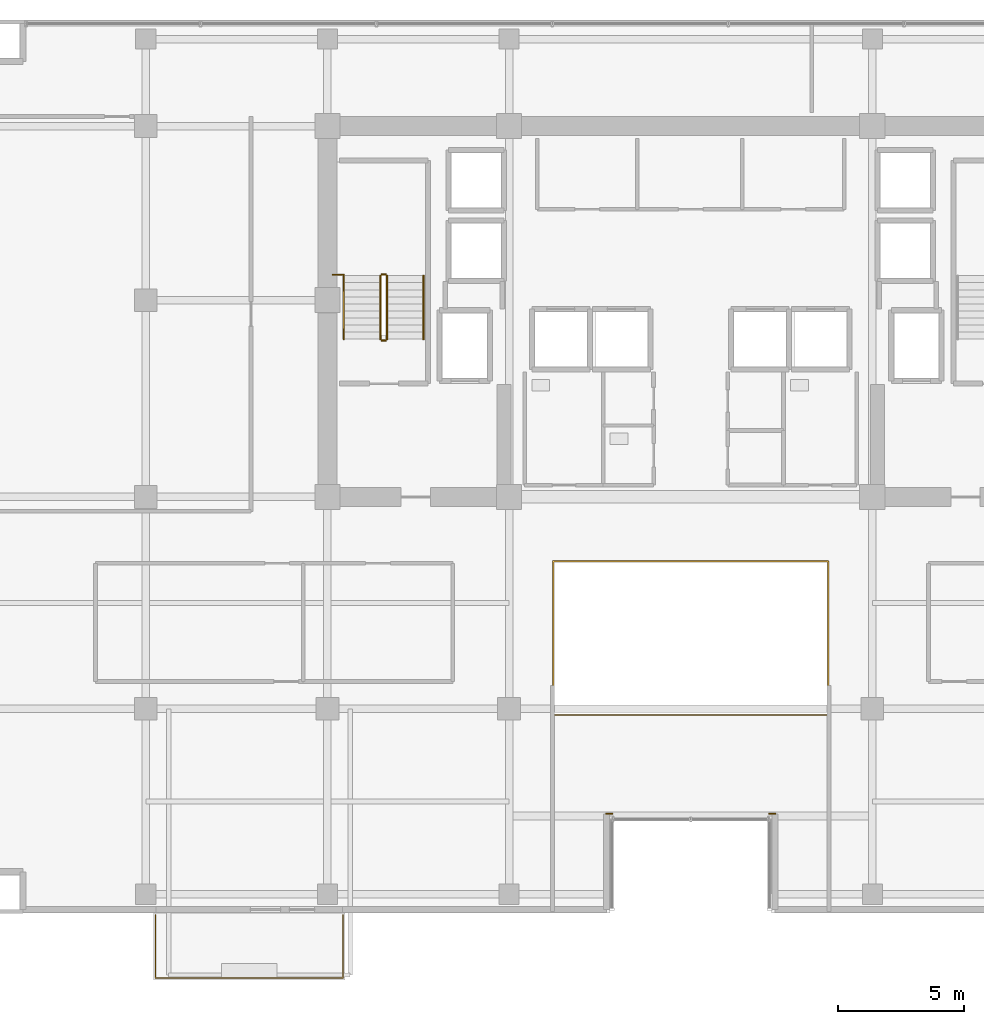
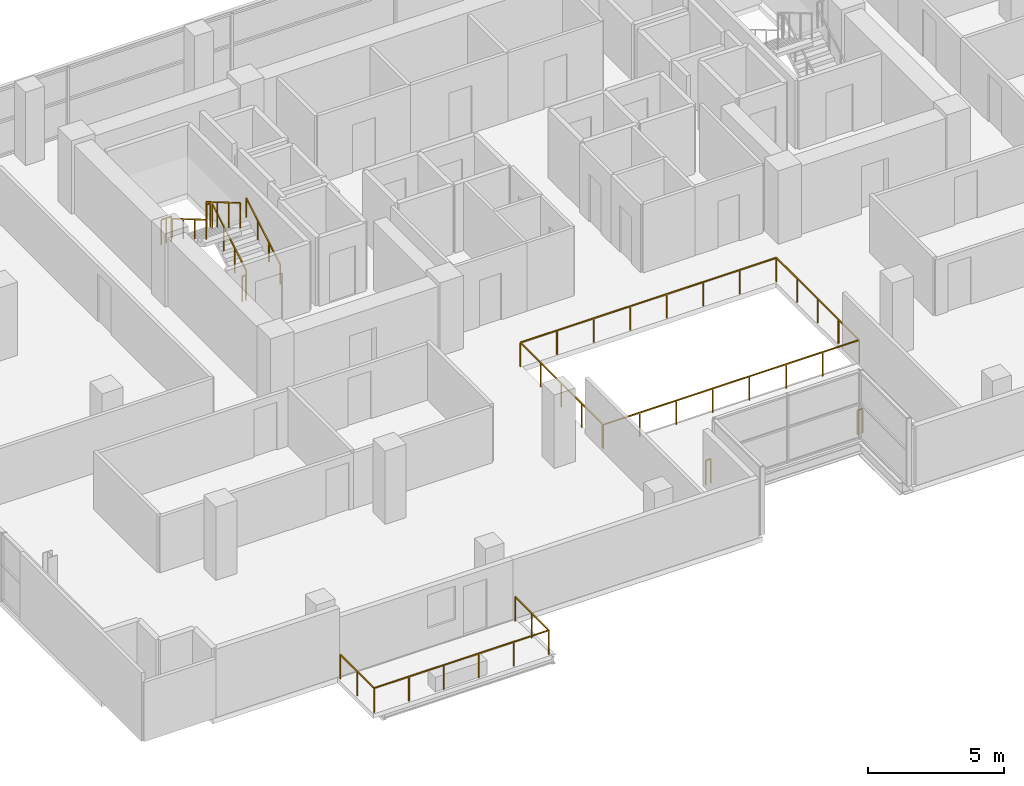
# One storey, part 23 of 25: 11 railings.
"""IFC4 building model written with IfcOpenShell, lengths in metres."""

from ifc_helpers import new_model, si_unit, direction, frame, origin, origin_2d, place, context, subcontext, project, spatial, rectangle, extrude, material, type_object, element, save


model = new_model("IFC4")

# Units and contexts
model_context = context("Model", 3, precision=1e-05, world=origin(), true_north=direction((0.0, 1.0)))
body_context = subcontext(model_context, "Body", "Model", "MODEL_VIEW")
ifc_project = project(units=[si_unit("LENGTHUNIT", "METRE"), si_unit("AREAUNIT", "SQUARE_METRE"), si_unit("VOLUMEUNIT", "CUBIC_METRE"), si_unit("PLANEANGLEUNIT", "RADIAN"), si_unit("MASSUNIT", "GRAM", prefix="KILO")], contexts=[model_context])

# Site, building, storey
site_placement = place(None, origin())
site = spatial("IfcSite", under=ifc_project, at=site_placement, CompositionType="ELEMENT")
building_placement = place(site_placement, origin())
building = spatial("IfcBuilding", under=site, at=building_placement, Name="Zarnakvel Exchange Tower", CompositionType="ELEMENT")
storey_placement = place(building_placement, frame((0.0, 0.0, 100.0)))
storey = spatial("IfcBuildingStorey", under=building, at=storey_placement, Name="L27", CompositionType="ELEMENT", Elevation=100.0)

# Railings
ifc_material_1 = material(Name="Architectural Bronze Anodised Aluminium", Category="aluminium")
railing_type_1 = type_object("IfcRailingType", Name="GR-02", PredefinedType="GUARDRAIL", material=ifc_material_1)
railing_1_placement = place(storey_placement, frame((-21.219970703125, -17.780029296875, -0.034912109375)))
element("IfcRailing", 1, at=railing_1_placement, inside=storey, type_object=railing_type_1, Name="L27 Balcony Guardrail BAL-L27-SW", PredefinedType="GUARDRAIL", context=body_context, shape_type="SweptSolid", body=[
    extrude(rectangle(XDim=0.048095703125, YDim=0.048095703125, at=origin_2d()), frame((0.0, 0.0, 1.09619140625), z_axis=(0.0, -1.0, 0.0), x_axis=(1.0, 0.0, 0.0)), (0.0, 0.0, 1.0), 2.489990234375),
    extrude(rectangle(XDim=0.048095703125, YDim=0.048095703125, at=origin_2d()), frame((0.0, -2.489990234375, 1.09619140625), z_axis=(1.0, 0.0, 0.0), x_axis=(0.0, 1.0, 0.0)), (0.0, 0.0, 1.0), 7.43994140625),
    extrude(rectangle(XDim=0.048095703125, YDim=0.048095703125, at=origin_2d()), frame((7.43994140625, -2.489990234375, 1.09619140625), z_axis=(0.0, 1.0, 0.0), x_axis=(-1.0, 0.0, 0.0)), (0.0, 0.0, 1.0), 2.489990234375),
    extrude(rectangle(XDim=0.0419921875, YDim=0.0419921875, at=origin_2d()), origin(), (0.0, 0.0, 1.0), 1.072021484375),
    extrude(rectangle(XDim=0.0419921875, YDim=0.0419921875, at=origin_2d()), frame((0.0, -1.2451171875, 0.0)), (0.0, 0.0, 1.0), 1.072021484375),
    extrude(rectangle(XDim=0.0419921875, YDim=0.0419921875, at=origin_2d()), frame((0.0, -2.489990234375, 0.0)), (0.0, 0.0, 1.0), 1.072021484375),
    extrude(rectangle(XDim=0.0419921875, YDim=0.0419921875, at=origin_2d()), frame((1.488037109375, -2.489990234375, 0.0)), (0.0, 0.0, 1.0), 1.072021484375),
    extrude(rectangle(XDim=0.0419921875, YDim=0.0419921875, at=origin_2d()), frame((2.97607421875, -2.489990234375, 0.0)), (0.0, 0.0, 1.0), 1.072021484375),
    extrude(rectangle(XDim=0.0419921875, YDim=0.0419921875, at=origin_2d()), frame((4.4638671875, -2.489990234375, 0.0)), (0.0, 0.0, 1.0), 1.072021484375),
    extrude(rectangle(XDim=0.0419921875, YDim=0.0419921875, at=origin_2d()), frame((5.951904296875, -2.489990234375, 0.0)), (0.0, 0.0, 1.0), 1.072021484375),
    extrude(rectangle(XDim=0.0419921875, YDim=0.0419921875, at=origin_2d()), frame((7.43994140625, -2.489990234375, 0.0)), (0.0, 0.0, 1.0), 1.072021484375),
    extrude(rectangle(XDim=0.0419921875, YDim=0.0419921875, at=origin_2d()), frame((7.43994140625, -1.2451171875, 0.0)), (0.0, 0.0, 1.0), 1.072021484375),
    extrude(rectangle(XDim=0.0419921875, YDim=0.0419921875, at=origin_2d()), frame((7.43994140625, 0.0, 0.0)), (0.0, 0.0, 1.0), 1.072021484375),
])
for number, where, name in (
    (2, (3.340087890625, -13.760009765625, 0.0), "L27 Corner Spandrel Balustrade #18"),
    (3, (-3.1201171875, -13.760009765625, 0.0), "L27 Corner Spandrel Balustrade #19"),
):
    element("IfcRailing", number, at=place(storey_placement, frame(where)), inside=storey, type_object=railing_type_1, Name=name, PredefinedType="GUARDRAIL", context=body_context, shape_type="SweptSolid", body=[
        extrude(rectangle(XDim=0.048095703125, YDim=0.048095703125, at=origin_2d()), frame((0.0, 0.0, 1.09619140625), z_axis=(-1.0, 0.0, 0.0), x_axis=(0.0, -1.0, 0.0)), (0.0, 0.0, 1.0), 0.219970703125),
        extrude(rectangle(XDim=0.0419921875, YDim=0.0419921875, at=origin_2d()), origin(), (0.0, 0.0, 1.0), 1.072021484375),
        extrude(rectangle(XDim=0.0419921875, YDim=0.0419921875, at=origin_2d()), frame((-0.219970703125, 0.0, 0.0)), (0.0, 0.0, 1.0), 1.072021484375),
    ])
railing_type_2 = type_object("IfcRailingType", Name="GR-03", PredefinedType="GUARDRAIL", material=ifc_material_1)
railing_2_placement = place(storey_placement, frame((-5.449951171875, -9.85009765625, 0.0)))
element("IfcRailing", 4, at=railing_2_placement, inside=storey, type_object=railing_type_2, Name="L27 Atrium Void Perimeter Balustrade", PredefinedType="GUARDRAIL", context=body_context, shape_type="SweptSolid", body=[
    extrude(rectangle(XDim=0.048095703125, YDim=0.048095703125, at=origin_2d()), frame((0.0, 0.0, 1.076171875), z_axis=(1.0, 0.0, 0.0), x_axis=(0.0, 1.0, 0.0)), (0.0, 0.0, 1.0), 10.89990234375),
    extrude(rectangle(XDim=0.048095703125, YDim=0.048095703125, at=origin_2d()), frame((10.89990234375, 0.0, 1.076171875), z_axis=(0.0, 1.0, 0.0), x_axis=(-1.0, 0.0, 0.0)), (0.0, 0.0, 1.0), 6.10009765625),
    extrude(rectangle(XDim=0.048095703125, YDim=0.048095703125, at=origin_2d()), frame((10.89990234375, 6.10009765625, 1.076171875), z_axis=(-1.0, 0.0, 0.0), x_axis=(0.0, -1.0, 0.0)), (0.0, 0.0, 1.0), 10.89990234375),
    extrude(rectangle(XDim=0.048095703125, YDim=0.048095703125, at=origin_2d()), frame((0.0, 6.10009765625, 1.076171875), z_axis=(0.0, -1.0, 0.0), x_axis=(1.0, 0.0, 0.0)), (0.0, 0.0, 1.0), 6.02001953125),
    extrude(rectangle(XDim=0.0419921875, YDim=0.0419921875, at=origin_2d()), origin(), (0.0, 0.0, 1.0), 1.052001953125),
    extrude(rectangle(XDim=0.0419921875, YDim=0.0419921875, at=origin_2d()), frame((1.55712890625, 0.0, 0.0)), (0.0, 0.0, 1.0), 1.052001953125),
    extrude(rectangle(XDim=0.0419921875, YDim=0.0419921875, at=origin_2d()), frame((3.1142578125, 0.0, 0.0)), (0.0, 0.0, 1.0), 1.052001953125),
    extrude(rectangle(XDim=0.0419921875, YDim=0.0419921875, at=origin_2d()), frame((4.67138671875, 0.0, 0.0)), (0.0, 0.0, 1.0), 1.052001953125),
    extrude(rectangle(XDim=0.0419921875, YDim=0.0419921875, at=origin_2d()), frame((6.228515625, 0.0, 0.0)), (0.0, 0.0, 1.0), 1.052001953125),
    extrude(rectangle(XDim=0.0419921875, YDim=0.0419921875, at=origin_2d()), frame((7.78564453125, 0.0, 0.0)), (0.0, 0.0, 1.0), 1.052001953125),
    extrude(rectangle(XDim=0.0419921875, YDim=0.0419921875, at=origin_2d()), frame((9.3427734375, 0.0, 0.0)), (0.0, 0.0, 1.0), 1.052001953125),
    extrude(rectangle(XDim=0.0419921875, YDim=0.0419921875, at=origin_2d()), frame((10.89990234375, 0.0, 0.0)), (0.0, 0.0, 1.0), 1.052001953125),
    extrude(rectangle(XDim=0.0419921875, YDim=0.0419921875, at=origin_2d()), frame((10.89990234375, 1.52490234375, 0.0)), (0.0, 0.0, 1.0), 1.052001953125),
    extrude(rectangle(XDim=0.0419921875, YDim=0.0419921875, at=origin_2d()), frame((10.89990234375, 3.050048828125, 0.0)), (0.0, 0.0, 1.0), 1.052001953125),
    extrude(rectangle(XDim=0.0419921875, YDim=0.0419921875, at=origin_2d()), frame((10.89990234375, 4.5751953125, 0.0)), (0.0, 0.0, 1.0), 1.052001953125),
    extrude(rectangle(XDim=0.0419921875, YDim=0.0419921875, at=origin_2d()), frame((10.89990234375, 6.10009765625, 0.0)), (0.0, 0.0, 1.0), 1.052001953125),
    extrude(rectangle(XDim=0.0419921875, YDim=0.0419921875, at=origin_2d()), frame((9.3427734375, 6.10009765625, 0.0)), (0.0, 0.0, 1.0), 1.052001953125),
    extrude(rectangle(XDim=0.0419921875, YDim=0.0419921875, at=origin_2d()), frame((7.78564453125, 6.10009765625, 0.0)), (0.0, 0.0, 1.0), 1.052001953125),
    extrude(rectangle(XDim=0.0419921875, YDim=0.0419921875, at=origin_2d()), frame((6.228515625, 6.10009765625, 0.0)), (0.0, 0.0, 1.0), 1.052001953125),
    extrude(rectangle(XDim=0.0419921875, YDim=0.0419921875, at=origin_2d()), frame((4.67138671875, 6.10009765625, 0.0)), (0.0, 0.0, 1.0), 1.052001953125),
    extrude(rectangle(XDim=0.0419921875, YDim=0.0419921875, at=origin_2d()), frame((3.1142578125, 6.10009765625, 0.0)), (0.0, 0.0, 1.0), 1.052001953125),
    extrude(rectangle(XDim=0.0419921875, YDim=0.0419921875, at=origin_2d()), frame((1.55712890625, 6.10009765625, 0.0)), (0.0, 0.0, 1.0), 1.052001953125),
    extrude(rectangle(XDim=0.0419921875, YDim=0.0419921875, at=origin_2d()), frame((0.0, 6.10009765625, 0.0)), (0.0, 0.0, 1.0), 1.052001953125),
    extrude(rectangle(XDim=0.0419921875, YDim=0.0419921875, at=origin_2d()), frame((0.0, 4.59521484375, 0.0)), (0.0, 0.0, 1.0), 1.052001953125),
    extrude(rectangle(XDim=0.0419921875, YDim=0.0419921875, at=origin_2d()), frame((0.0, 3.090087890625, 0.0)), (0.0, 0.0, 1.0), 1.052001953125),
    extrude(rectangle(XDim=0.0419921875, YDim=0.0419921875, at=origin_2d()), frame((0.0, 1.5849609375, 0.0)), (0.0, 0.0, 1.0), 1.052001953125),
    extrude(rectangle(XDim=0.0419921875, YDim=0.0419921875, at=origin_2d()), frame((0.0, 0.080078125, 0.0)), (0.0, 0.0, 1.0), 1.052001953125),
])
ifc_material_2 = material(Name="Brushed Stainless Steel", Category="steel")
railing_type_3 = type_object("IfcRailingType", Name="HR-01", PredefinedType="HANDRAIL", material=ifc_material_2)
railing_3_placement = place(storey_placement, frame((-10.590087890625, 5.050048828125, 0.1650390625)))
element("IfcRailing", 5, at=railing_3_placement, inside=storey, type_object=railing_type_3, Name="L27 ST-01 stair handrail 1", PredefinedType="HANDRAIL", context=body_context, shape_type="SweptSolid", body=[
    extrude(rectangle(XDim=0.048095703125, YDim=0.048095703125, at=origin_2d()), frame((0.0, 0.0, 0.8759765625), z_axis=(0.0, 0.861560626758, 0.507654692109), x_axis=(-1.0, 0.0, 0.0)), (0.0, 0.0, 1.0), 2.925048828125),
    extrude(rectangle(XDim=0.0419921875, YDim=0.0419921875, at=origin_2d()), origin(), (0.0, 0.0, 1.0), 0.851806640625),
    extrude(rectangle(XDim=0.0419921875, YDim=0.0419921875, at=origin_2d()), frame((0.0, 0.840087890625, 0.494873046875)), (0.0, 0.0, 1.0), 0.851806640625),
    extrude(rectangle(XDim=0.0419921875, YDim=0.0419921875, at=origin_2d()), frame((0.0, 1.679931640625, 0.989990234375)), (0.0, 0.0, 1.0), 0.851806640625),
    extrude(rectangle(XDim=0.0419921875, YDim=0.0419921875, at=origin_2d()), frame((0.0, 2.52001953125, 1.48486328125)), (0.0, 0.0, 1.0), 0.851806640625),
])
railing_4_placement = place(storey_placement, frame((-13.75, 7.570068359375, 1.81494140625)))
element("IfcRailing", 6, at=railing_4_placement, inside=storey, type_object=railing_type_3, Name="L27 ST-01 stair handrail 2", PredefinedType="HANDRAIL", context=body_context, shape_type="SweptSolid", body=[
    extrude(rectangle(XDim=0.048095703125, YDim=0.048095703125, at=origin_2d()), frame((0.0, 0.0, 0.8759765625), z_axis=(0.0, -0.86152411907, 0.507716645641), x_axis=(1.0, 0.0, 0.0)), (0.0, 0.0, 1.0), 2.925048828125),
    extrude(rectangle(XDim=0.0419921875, YDim=0.0419921875, at=origin_2d()), origin(), (0.0, 0.0, 1.0), 0.851806640625),
    extrude(rectangle(XDim=0.0419921875, YDim=0.0419921875, at=origin_2d()), frame((0.0, -0.840087890625, 0.4951171875)), (0.0, 0.0, 1.0), 0.851806640625),
    extrude(rectangle(XDim=0.0419921875, YDim=0.0419921875, at=origin_2d()), frame((0.0, -1.679931640625, 0.989990234375)), (0.0, 0.0, 1.0), 0.851806640625),
    extrude(rectangle(XDim=0.0419921875, YDim=0.0419921875, at=origin_2d()), frame((0.0, -2.52001953125, 1.485107421875)), (0.0, 0.0, 1.0), 0.851806640625),
])
railing_type_4 = type_object("IfcRailingType", Name="SG-01", PredefinedType="GUARDRAIL", material=ifc_material_1)
railing_5_placement = place(storey_placement, frame((-12.0400390625, 5.050048828125, 0.1650390625)))
element("IfcRailing", 7, at=railing_5_placement, inside=storey, type_object=railing_type_4, Name="L27 ST-01 stair guard 1", PredefinedType="GUARDRAIL", context=body_context, shape_type="SweptSolid", body=[
    extrude(rectangle(XDim=0.048095703125, YDim=0.048095703125, at=origin_2d()), frame((0.0, 0.0, 1.1259765625), z_axis=(0.0, 0.861560626758, 0.507654692109), x_axis=(-1.0, 0.0, 0.0)), (0.0, 0.0, 1.0), 2.925048828125),
    extrude(rectangle(XDim=0.0419921875, YDim=0.0419921875, at=origin_2d()), origin(), (0.0, 0.0, 1.0), 1.101806640625),
    extrude(rectangle(XDim=0.0419921875, YDim=0.0419921875, at=origin_2d()), frame((0.0, 0.840087890625, 0.494873046875)), (0.0, 0.0, 1.0), 1.101806640625),
    extrude(rectangle(XDim=0.0419921875, YDim=0.0419921875, at=origin_2d()), frame((0.0, 1.679931640625, 0.989990234375)), (0.0, 0.0, 1.0), 1.101806640625),
    extrude(rectangle(XDim=0.0419921875, YDim=0.0419921875, at=origin_2d()), frame((0.0, 2.52001953125, 1.48486328125)), (0.0, 0.0, 1.0), 1.101806640625),
])
railing_6_placement = place(storey_placement, frame((-12.090087890625, 7.6201171875, 1.64990234375)))
element("IfcRailing", 8, at=railing_6_placement, inside=storey, type_object=railing_type_4, Name="L27 ST-01 stair guard 2", PredefinedType="GUARDRAIL", context=body_context, shape_type="SweptSolid", body=[
    extrude(rectangle(XDim=0.048095703125, YDim=0.048095703125, at=origin_2d()), frame((0.0, 0.0, 1.1259765625), z_axis=(-1.0, 0.0, 0.0), x_axis=(0.0, -1.0, 0.0)), (0.0, 0.0, 1.0), 0.159912109375),
    extrude(rectangle(XDim=0.0419921875, YDim=0.0419921875, at=origin_2d()), origin(), (0.0, 0.0, 1.0), 1.101806640625),
    extrude(rectangle(XDim=0.0419921875, YDim=0.0419921875, at=origin_2d()), frame((-0.159912109375, 0.0, 0.0)), (0.0, 0.0, 1.0), 1.101806640625),
])
railing_7_placement = place(storey_placement, frame((-12.300048828125, 7.570068359375, 1.81494140625)))
element("IfcRailing", 9, at=railing_7_placement, inside=storey, type_object=railing_type_4, Name="L27 ST-01 stair guard 3", PredefinedType="GUARDRAIL", context=body_context, shape_type="SweptSolid", body=[
    extrude(rectangle(XDim=0.048095703125, YDim=0.048095703125, at=origin_2d()), frame((0.0, 0.0, 1.1259765625), z_axis=(0.0, -0.86152411907, 0.507716645641), x_axis=(1.0, 0.0, 0.0)), (0.0, 0.0, 1.0), 2.925048828125),
    extrude(rectangle(XDim=0.0419921875, YDim=0.0419921875, at=origin_2d()), origin(), (0.0, 0.0, 1.0), 1.101806640625),
    extrude(rectangle(XDim=0.0419921875, YDim=0.0419921875, at=origin_2d()), frame((0.0, -0.840087890625, 0.4951171875)), (0.0, 0.0, 1.0), 1.101806640625),
    extrude(rectangle(XDim=0.0419921875, YDim=0.0419921875, at=origin_2d()), frame((0.0, -1.679931640625, 0.989990234375)), (0.0, 0.0, 1.0), 1.101806640625),
    extrude(rectangle(XDim=0.0419921875, YDim=0.0419921875, at=origin_2d()), frame((0.0, -2.52001953125, 1.485107421875)), (0.0, 0.0, 1.0), 1.101806640625),
])
railing_8_placement = place(storey_placement, frame((-12.090087890625, 5.0, 0.0)))
element("IfcRailing", 10, at=railing_8_placement, inside=storey, type_object=railing_type_4, Name="L27 ST-01 stair guard 4", PredefinedType="GUARDRAIL", context=body_context, shape_type="SweptSolid", body=[
    extrude(rectangle(XDim=0.048095703125, YDim=0.048095703125, at=origin_2d()), frame((0.0, 0.0, 1.1259765625), z_axis=(-1.0, 0.0, 0.0), x_axis=(0.0, -1.0, 0.0)), (0.0, 0.0, 1.0), 0.159912109375),
    extrude(rectangle(XDim=0.0419921875, YDim=0.0419921875, at=origin_2d()), origin(), (0.0, 0.0, 1.0), 1.101806640625),
    extrude(rectangle(XDim=0.0419921875, YDim=0.0419921875, at=origin_2d()), frame((-0.159912109375, 0.0, 0.0)), (0.0, 0.0, 1.0), 1.101806640625),
])
railing_9_placement = place(storey_placement, frame((-14.179931640625, 7.610107421875, 1.64990234375)))
element("IfcRailing", 11, at=railing_9_placement, inside=storey, type_object=railing_type_4, Name="L27 ST-01 Landing Slot Guardrail", PredefinedType="GUARDRAIL", context=body_context, shape_type="SweptSolid", body=[
    extrude(rectangle(XDim=0.048095703125, YDim=0.048095703125, at=origin_2d()), frame((0.0, 0.0, 1.1259765625), z_axis=(1.0, 0.0, 0.0), x_axis=(0.0, 1.0, 0.0)), (0.0, 0.0, 1.0), 0.429931640625),
    extrude(rectangle(XDim=0.0419921875, YDim=0.0419921875, at=origin_2d()), origin(), (0.0, 0.0, 1.0), 1.101806640625),
    extrude(rectangle(XDim=0.0419921875, YDim=0.0419921875, at=origin_2d()), frame((0.21484375, 0.0, 0.0)), (0.0, 0.0, 1.0), 1.101806640625),
    extrude(rectangle(XDim=0.0419921875, YDim=0.0419921875, at=origin_2d()), frame((0.429931640625, 0.0, 0.0)), (0.0, 0.0, 1.0), 1.101806640625),
])

save(model, "model.ifc")
